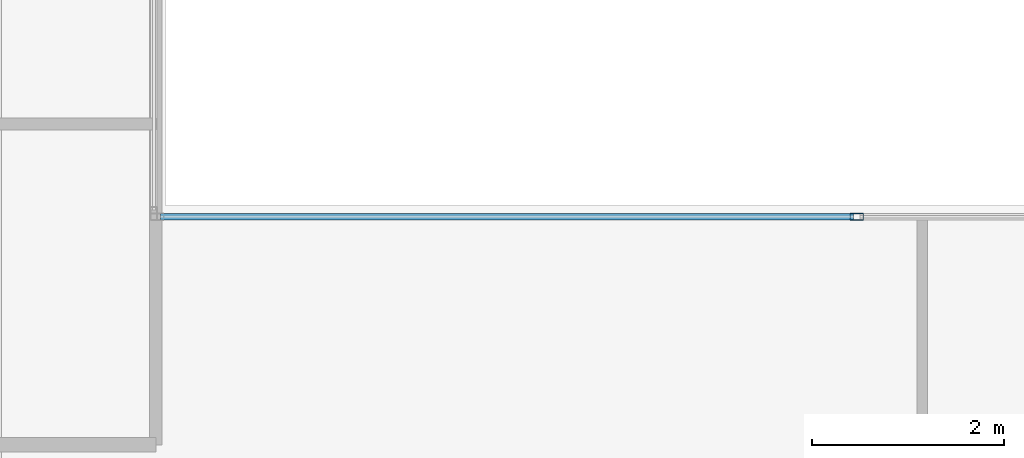
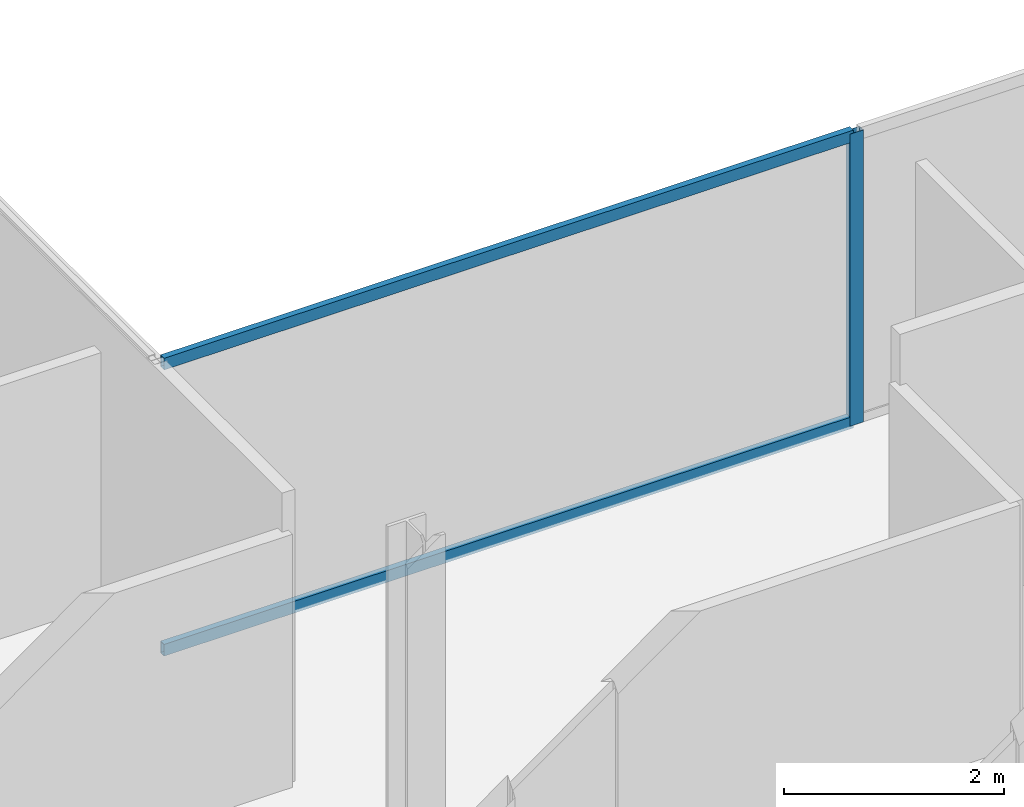
# One storey, part 9 of 23: 3 members, 1 element without a shape of its own.
"""IFC4 building model written with IfcOpenShell, lengths in metres."""

from ifc_helpers import new_model, si_unit, direction, frame, origin, origin_2d, place, context, subcontext, project, spatial, hollow_rectangle, extrude, material, material_profile, profile_set, type_object, element, aggregate, save


model = new_model("IFC4")

# Units and contexts
model_context = context("Model", 3, precision=1e-05, world=origin(), true_north=direction((0.0, 1.0)))
body_context = subcontext(model_context, "Body", "Model", "MODEL_VIEW")
ifc_project = project(units=[si_unit("LENGTHUNIT", "METRE"), si_unit("AREAUNIT", "SQUARE_METRE"), si_unit("VOLUMEUNIT", "CUBIC_METRE"), si_unit("PLANEANGLEUNIT", "RADIAN"), si_unit("MASSUNIT", "GRAM", prefix="KILO")], contexts=[model_context])

# Site, building, storey
site_placement = place(None, origin())
site = spatial("IfcSite", under=ifc_project, at=site_placement, CompositionType="ELEMENT")
building_placement = place(site_placement, origin())
building = spatial("IfcBuilding", under=site, at=building_placement, Name="Cobrela Telecom Tower", CompositionType="ELEMENT")
storey_placement = place(building_placement, frame((0.0, 0.0, 265.64990234375)))
storey = spatial("IfcBuildingStorey", under=building, at=storey_placement, Name="L69", CompositionType="ELEMENT", Elevation=265.64990234375)

# Curtain wall, members
ifc_material = material(Name="Anodized Bronze Aluminium 6063-T6", Category="aluminium")
curtain_wall_type = type_object("IfcCurtainWallType", Name="CW-SYS-OFF-HI", PredefinedType="USERDEFINED", material=ifc_material)
curtain_wall_placement = place(storey_placement, origin())
curtain_wall = element("IfcCurtainWall", 1, at=curtain_wall_placement, inside=storey, type_object=curtain_wall_type, Name="L69 Unitised Bronze Curtain Wall 09", ObjectType="UNITISED CURTAIN WALL", PredefinedType="USERDEFINED")
ifc_material_profile_1 = material_profile(ifc_material, hollow_rectangle(XDim=0.070068359375, YDim=0.139892578125, WallThickness=0.00390625, at=origin_2d()), Name="ALU 70x140x4")
ifc_profile_set_1 = profile_set([ifc_material_profile_1], Name="Anodized Bronze Aluminium 6063-T6")
member_type_1 = type_object("IfcMemberType", Name="CW-SYS-OFF-HI-MUL", PredefinedType="MULLION", material=ifc_profile_set_1)
member_1_placement = place(storey_placement, frame((28.216552734375, 25.080078125, 0.0), z_axis=(0.0, 0.0, 1.0), x_axis=(0.0, 1.0, 0.0)))
member_1 = element("IfcMember", 2, at=member_1_placement, type_object=member_type_1, Name="CW-OFF-HI mullion 2", PredefinedType="MULLION", context=body_context, shape_type="SweptSolid", body=[
    extrude(hollow_rectangle(XDim=0.070068359375, YDim=0.139892578125, WallThickness=0.00390625, at=origin_2d()), origin(), (0.0, 0.0, 1.0), 3.239990234375),
])
ifc_material_profile_2 = material_profile(ifc_material, hollow_rectangle(XDim=0.06494140625, YDim=0.1298828125, WallThickness=0.00390625, at=origin_2d()), Name="ALU 65x130x4")
ifc_profile_set_2 = profile_set([ifc_material_profile_2], Name="Anodized Bronze Aluminium 6063-T6")
member_type_2 = type_object("IfcMemberType", Name="CW-SYS-OFF-HI-TRN", PredefinedType="USERDEFINED", material=ifc_profile_set_2)
member_2_placement = place(storey_placement, frame((20.949951171875, 25.080078125, 0.03271484375), z_axis=(1.0, 0.0, 0.0), x_axis=(0.0, 1.0, 0.0)))
member_2 = element("IfcMember", 3, at=member_2_placement, type_object=member_type_2, Name="CW-OFF-HI transom 1.1", ObjectType="TRANSOM", PredefinedType="USERDEFINED", context=body_context, shape_type="SweptSolid", body=[
    extrude(hollow_rectangle(XDim=0.06494140625, YDim=0.1298828125, WallThickness=0.00390625, at=origin_2d()), origin(), (0.0, 0.0, 1.0), 7.231689453125),
])
member_3_placement = place(storey_placement, frame((20.949951171875, 25.080078125, 3.20751953125), z_axis=(1.0, 0.0, 0.0), x_axis=(0.0, 1.0, 0.0)))
member_3 = element("IfcMember", 4, at=member_3_placement, type_object=member_type_2, Name="CW-OFF-HI transom 1.2", ObjectType="TRANSOM", PredefinedType="USERDEFINED", context=body_context, shape_type="SweptSolid", body=[
    extrude(hollow_rectangle(XDim=0.06494140625, YDim=0.1298828125, WallThickness=0.00390625, at=origin_2d()), origin(), (0.0, 0.0, 1.0), 7.231689453125),
])
aggregate(curtain_wall, [member_1, member_2, member_3])

save(model, "model.ifc")
